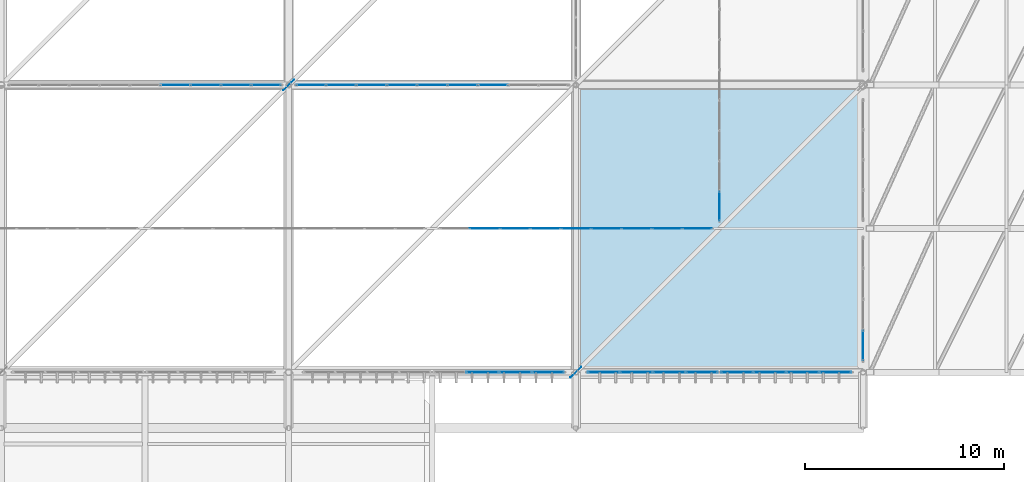
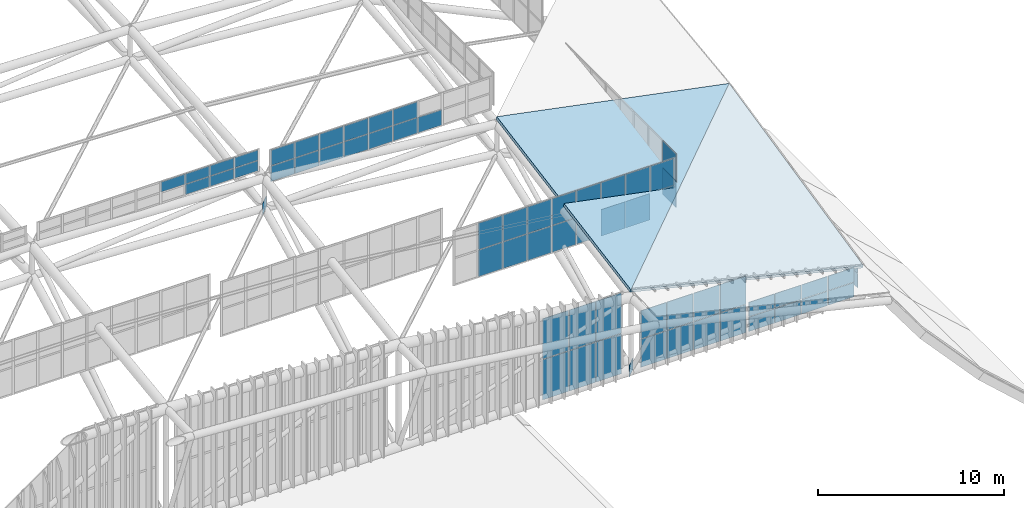
# One storey, part 366 of 397: 64 plates, 2 slabs, 8 elements without a shape of their own.
"""IFC4 building model written with IfcOpenShell, lengths in metres."""

from ifc_helpers import new_model, si_unit, direction, frame, origin, origin_2d, place, context, subcontext, project, spatial, polyline, rectangle, outline, extrude, material, layer, layer_set, type_object, element, aggregate, save


model = new_model("IFC4")

# Units and contexts
model_context = context("Model", 3, precision=1e-05, world=origin(), true_north=direction((0.0, 1.0)))
body_context = subcontext(model_context, "Body", "Model", "MODEL_VIEW")
ifc_project = project(units=[si_unit("LENGTHUNIT", "METRE"), si_unit("AREAUNIT", "SQUARE_METRE"), si_unit("VOLUMEUNIT", "CUBIC_METRE"), si_unit("PLANEANGLEUNIT", "RADIAN"), si_unit("MASSUNIT", "GRAM", prefix="KILO")], contexts=[model_context])

# Site, building, storey
site_placement = place(None, origin())
site = spatial("IfcSite", under=ifc_project, at=site_placement, CompositionType="ELEMENT")
building_placement = place(site_placement, origin())
building = spatial("IfcBuilding", under=site, at=building_placement, Name="Qandorah Velis Arena", CompositionType="ELEMENT")
storey_placement = place(building_placement, frame((0.0, 0.0, 27.5)))
storey = spatial("IfcBuildingStorey", under=building, at=storey_placement, Name="RF", CompositionType="ELEMENT", Elevation=27.5)

# Curtain wall, plates
ifc_material_1 = material(Name="Solar-control low-E double glazing", Category="glass")
curtain_wall_type_1 = type_object("IfcCurtainWallType", Name="ARC-CW-SYS13", PredefinedType="USERDEFINED", material=ifc_material_1)
curtain_wall_1_placement = place(storey_placement, origin())
curtain_wall_1 = element("IfcCurtainWall", 1, at=curtain_wall_1_placement, inside=storey, type_object=curtain_wall_type_1, Name="Unitised curtain wall MON-2-1", ObjectType="UNITISED CURTAIN WALL", PredefinedType="USERDEFINED")
ifc_layer_1 = layer(ifc_material_1, 0.030029296875)
ifc_layer_set_1 = layer_set([ifc_layer_1], Name="Solar-control low-E double glazing")
plate_type_1 = type_object("IfcPlateType", Name="ARC-CWP-GLZ30", PredefinedType="CURTAIN_PANEL", material=ifc_layer_set_1)
plate_1_placement = place(storey_placement, frame((108.0, 22.724853515625, 3.58642578125), z_axis=(0.0, 0.0, 1.0), x_axis=(0.0, 1.0, 0.0)))
plate_1 = element("IfcPlate", 2, at=plate_1_placement, type_object=plate_type_1, Name="CW13 panel 1.1", PredefinedType="CURTAIN_PANEL", context=body_context, shape_type="SweptSolid", body=[
    extrude(rectangle(XDim=1.459716796875, YDim=0.030029296875, at=origin_2d()), origin(), (0.0, 0.0, 1.0), 1.737548828125),
])
plate_2_placement = place(storey_placement, frame((108.0, 22.724853515625, 5.35888671875), z_axis=(0.0, 0.0, 1.0), x_axis=(0.0, 1.0, 0.0)))
plate_2 = element("IfcPlate", 3, at=plate_2_placement, type_object=plate_type_1, Name="CW13 panel 1.2", PredefinedType="CURTAIN_PANEL", context=body_context, shape_type="SweptSolid", body=[
    extrude(rectangle(XDim=1.459716796875, YDim=0.030029296875, at=origin_2d()), origin(), (0.0, 0.0, 1.0), 1.737548828125),
])
aggregate(curtain_wall_1, [plate_1, plate_2])

curtain_wall_type_2 = type_object("IfcCurtainWallType", Name="ARC-CW-SYS24", PredefinedType="USERDEFINED", material=ifc_material_1)
curtain_wall_2_placement = place(storey_placement, origin())
curtain_wall_2 = element("IfcCurtainWall", 4, at=curtain_wall_2_placement, inside=storey, type_object=curtain_wall_type_2, Name="Unitised curtain wall MON-3-6", ObjectType="UNITISED CURTAIN WALL", PredefinedType="USERDEFINED")
plate_3_placement = place(storey_placement, frame((96.2333984375, 21.60009765625, 3.685546875), z_axis=(0.0, 0.0, 1.0), x_axis=(1.0, 0.0, 0.0)))
plate_3 = element("IfcPlate", 5, at=plate_3_placement, type_object=plate_type_1, Name="CW24 panel 2.1", PredefinedType="CURTAIN_PANEL", context=body_context, shape_type="SweptSolid", body=[
    extrude(rectangle(XDim=1.4873046875, YDim=0.030029296875, at=origin_2d()), origin(), (0.0, 0.0, 1.0), 1.737548828125),
])
plate_4_placement = place(storey_placement, frame((96.2333984375, 21.60009765625, 5.45849609375), z_axis=(0.0, 0.0, 1.0), x_axis=(1.0, 0.0, 0.0)))
plate_4 = element("IfcPlate", 6, at=plate_4_placement, type_object=plate_type_1, Name="CW24 panel 2.2", PredefinedType="CURTAIN_PANEL", context=body_context, shape_type="SweptSolid", body=[
    extrude(rectangle(XDim=1.4873046875, YDim=0.030029296875, at=origin_2d()), origin(), (0.0, 0.0, 1.0), 1.737548828125),
])
plate_5_placement = place(storey_placement, frame((97.755615234375, 21.60009765625, 3.685546875), z_axis=(0.0, 0.0, 1.0), x_axis=(1.0, 0.0, 0.0)))
plate_5 = element("IfcPlate", 7, at=plate_5_placement, type_object=plate_type_1, Name="CW24 panel 3.1", PredefinedType="CURTAIN_PANEL", context=body_context, shape_type="SweptSolid", body=[
    extrude(rectangle(XDim=1.4873046875, YDim=0.030029296875, at=origin_2d()), origin(), (0.0, 0.0, 1.0), 1.737548828125),
])
plate_6_placement = place(storey_placement, frame((97.755615234375, 21.60009765625, 5.45849609375), z_axis=(0.0, 0.0, 1.0), x_axis=(1.0, 0.0, 0.0)))
plate_6 = element("IfcPlate", 8, at=plate_6_placement, type_object=plate_type_1, Name="CW24 panel 3.2", PredefinedType="CURTAIN_PANEL", context=body_context, shape_type="SweptSolid", body=[
    extrude(rectangle(XDim=1.4873046875, YDim=0.030029296875, at=origin_2d()), origin(), (0.0, 0.0, 1.0), 1.737548828125),
])
plate_7_placement = place(storey_placement, frame((99.27783203125, 21.60009765625, 3.685546875), z_axis=(0.0, 0.0, 1.0), x_axis=(1.0, 0.0, 0.0)))
plate_7 = element("IfcPlate", 9, at=plate_7_placement, type_object=plate_type_1, Name="CW24 panel 4.1", PredefinedType="CURTAIN_PANEL", context=body_context, shape_type="SweptSolid", body=[
    extrude(rectangle(XDim=1.4873046875, YDim=0.030029296875, at=origin_2d()), origin(), (0.0, 0.0, 1.0), 1.737548828125),
])
plate_8_placement = place(storey_placement, frame((99.27783203125, 21.60009765625, 5.45849609375), z_axis=(0.0, 0.0, 1.0), x_axis=(1.0, 0.0, 0.0)))
plate_8 = element("IfcPlate", 10, at=plate_8_placement, type_object=plate_type_1, Name="CW24 panel 4.2", PredefinedType="CURTAIN_PANEL", context=body_context, shape_type="SweptSolid", body=[
    extrude(rectangle(XDim=1.4873046875, YDim=0.030029296875, at=origin_2d()), origin(), (0.0, 0.0, 1.0), 1.737548828125),
])
plate_9_placement = place(storey_placement, frame((100.800048828125, 21.60009765625, 3.685546875), z_axis=(0.0, 0.0, 1.0), x_axis=(1.0, 0.0, 0.0)))
plate_9 = element("IfcPlate", 11, at=plate_9_placement, type_object=plate_type_1, Name="CW24 panel 5.1", PredefinedType="CURTAIN_PANEL", context=body_context, shape_type="SweptSolid", body=[
    extrude(rectangle(XDim=1.4873046875, YDim=0.030029296875, at=origin_2d()), origin(), (0.0, 0.0, 1.0), 1.737548828125),
])
plate_10_placement = place(storey_placement, frame((100.800048828125, 21.60009765625, 5.45849609375), z_axis=(0.0, 0.0, 1.0), x_axis=(1.0, 0.0, 0.0)))
plate_10 = element("IfcPlate", 12, at=plate_10_placement, type_object=plate_type_1, Name="CW24 panel 5.2", PredefinedType="CURTAIN_PANEL", context=body_context, shape_type="SweptSolid", body=[
    extrude(rectangle(XDim=1.4873046875, YDim=0.030029296875, at=origin_2d()), origin(), (0.0, 0.0, 1.0), 1.737548828125),
])
plate_11_placement = place(storey_placement, frame((102.322265625, 21.60009765625, 3.685546875), z_axis=(0.0, 0.0, 1.0), x_axis=(1.0, 0.0, 0.0)))
plate_11 = element("IfcPlate", 13, at=plate_11_placement, type_object=plate_type_1, Name="CW24 panel 6.1", PredefinedType="CURTAIN_PANEL", context=body_context, shape_type="SweptSolid", body=[
    extrude(rectangle(XDim=1.4873046875, YDim=0.030029296875, at=origin_2d()), origin(), (0.0, 0.0, 1.0), 1.737548828125),
])
plate_12_placement = place(storey_placement, frame((102.322265625, 21.60009765625, 5.45849609375), z_axis=(0.0, 0.0, 1.0), x_axis=(1.0, 0.0, 0.0)))
plate_12 = element("IfcPlate", 14, at=plate_12_placement, type_object=plate_type_1, Name="CW24 panel 6.2", PredefinedType="CURTAIN_PANEL", context=body_context, shape_type="SweptSolid", body=[
    extrude(rectangle(XDim=1.4873046875, YDim=0.030029296875, at=origin_2d()), origin(), (0.0, 0.0, 1.0), 1.737548828125),
])
plate_13_placement = place(storey_placement, frame((103.844482421875, 21.60009765625, 3.685546875), z_axis=(0.0, 0.0, 1.0), x_axis=(1.0, 0.0, 0.0)))
plate_13 = element("IfcPlate", 15, at=plate_13_placement, type_object=plate_type_1, Name="CW24 panel 7.1", PredefinedType="CURTAIN_PANEL", context=body_context, shape_type="SweptSolid", body=[
    extrude(rectangle(XDim=1.4873046875, YDim=0.030029296875, at=origin_2d()), origin(), (0.0, 0.0, 1.0), 1.737548828125),
])
plate_14_placement = place(storey_placement, frame((103.844482421875, 21.60009765625, 5.45849609375), z_axis=(0.0, 0.0, 1.0), x_axis=(1.0, 0.0, 0.0)))
plate_14 = element("IfcPlate", 16, at=plate_14_placement, type_object=plate_type_1, Name="CW24 panel 7.2", PredefinedType="CURTAIN_PANEL", context=body_context, shape_type="SweptSolid", body=[
    extrude(rectangle(XDim=1.4873046875, YDim=0.030029296875, at=origin_2d()), origin(), (0.0, 0.0, 1.0), 1.737548828125),
])
plate_15_placement = place(storey_placement, frame((105.36669921875, 21.60009765625, 3.685546875), z_axis=(0.0, 0.0, 1.0), x_axis=(1.0, 0.0, 0.0)))
plate_15 = element("IfcPlate", 17, at=plate_15_placement, type_object=plate_type_1, Name="CW24 panel 8.1", PredefinedType="CURTAIN_PANEL", context=body_context, shape_type="SweptSolid", body=[
    extrude(rectangle(XDim=1.4873046875, YDim=0.030029296875, at=origin_2d()), origin(), (0.0, 0.0, 1.0), 1.737548828125),
])
plate_16_placement = place(storey_placement, frame((105.36669921875, 21.60009765625, 5.45849609375), z_axis=(0.0, 0.0, 1.0), x_axis=(1.0, 0.0, 0.0)))
plate_16 = element("IfcPlate", 18, at=plate_16_placement, type_object=plate_type_1, Name="CW24 panel 8.2", PredefinedType="CURTAIN_PANEL", context=body_context, shape_type="SweptSolid", body=[
    extrude(rectangle(XDim=1.4873046875, YDim=0.030029296875, at=origin_2d()), origin(), (0.0, 0.0, 1.0), 1.737548828125),
])
plate_17_placement = place(storey_placement, frame((106.875244140625, 21.60009765625, 3.685546875), z_axis=(0.0, 0.0, 1.0), x_axis=(1.0, 0.0, 0.0)))
plate_17 = element("IfcPlate", 19, at=plate_17_placement, type_object=plate_type_1, Name="CW24 panel 9.1", PredefinedType="CURTAIN_PANEL", context=body_context, shape_type="SweptSolid", body=[
    extrude(rectangle(XDim=1.459716796875, YDim=0.030029296875, at=origin_2d()), origin(), (0.0, 0.0, 1.0), 1.737548828125),
])
plate_18_placement = place(storey_placement, frame((106.875244140625, 21.60009765625, 5.45849609375), z_axis=(0.0, 0.0, 1.0), x_axis=(1.0, 0.0, 0.0)))
plate_18 = element("IfcPlate", 20, at=plate_18_placement, type_object=plate_type_1, Name="CW24 panel 9.2", PredefinedType="CURTAIN_PANEL", context=body_context, shape_type="SweptSolid", body=[
    extrude(rectangle(XDim=1.459716796875, YDim=0.030029296875, at=origin_2d()), origin(), (0.0, 0.0, 1.0), 1.737548828125),
])
aggregate(curtain_wall_2, [plate_3, plate_4, plate_5, plate_6, plate_7, plate_8, plate_9, plate_10, plate_11, plate_12, plate_13, plate_14, plate_15, plate_16, plate_17, plate_18])

curtain_wall_type_3 = type_object("IfcCurtainWallType", Name="ARC-CW-SYS19", PredefinedType="USERDEFINED", material=ifc_material_1)
curtain_wall_3_placement = place(storey_placement, origin())
curtain_wall_3 = element("IfcCurtainWall", 21, at=curtain_wall_3_placement, inside=storey, type_object=curtain_wall_type_3, Name="Unitised curtain wall OCULUS-3-4", ObjectType="UNITISED CURTAIN WALL", PredefinedType="USERDEFINED")
plate_19_placement = place(storey_placement, frame((80.72216796875, 28.800048828125, 10.2919921875), z_axis=(0.0, 0.0, 1.0), x_axis=(1.0, 0.0, 0.0)))
plate_19 = element("IfcPlate", 22, at=plate_19_placement, type_object=plate_type_1, Name="CW19 panel 6.2", PredefinedType="CURTAIN_PANEL", context=body_context, shape_type="SweptSolid", body=[
    extrude(rectangle(XDim=1.4873046875, YDim=0.030029296875, at=origin_2d()), origin(), (0.0, 0.0, 1.0), 0.662841796875),
])
plate_20_placement = place(storey_placement, frame((82.244384765625, 28.800048828125, 9.593994140625), z_axis=(0.0, 0.0, 1.0), x_axis=(1.0, 0.0, 0.0)))
plate_20 = element("IfcPlate", 23, at=plate_20_placement, type_object=plate_type_1, Name="CW19 panel 7.1", PredefinedType="CURTAIN_PANEL", context=body_context, shape_type="SweptSolid", body=[
    extrude(rectangle(XDim=1.4873046875, YDim=0.030029296875, at=origin_2d()), origin(), (0.0, 0.0, 1.0), 0.6630859375),
])
plate_21_placement = place(storey_placement, frame((82.244384765625, 28.800048828125, 10.2919921875), z_axis=(0.0, 0.0, 1.0), x_axis=(1.0, 0.0, 0.0)))
plate_21 = element("IfcPlate", 24, at=plate_21_placement, type_object=plate_type_1, Name="CW19 panel 7.2", PredefinedType="CURTAIN_PANEL", context=body_context, shape_type="SweptSolid", body=[
    extrude(rectangle(XDim=1.4873046875, YDim=0.030029296875, at=origin_2d()), origin(), (0.0, 0.0, 1.0), 0.662841796875),
])
plate_22_placement = place(storey_placement, frame((83.7666015625, 28.800048828125, 9.593994140625), z_axis=(0.0, 0.0, 1.0), x_axis=(1.0, 0.0, 0.0)))
plate_22 = element("IfcPlate", 25, at=plate_22_placement, type_object=plate_type_1, Name="CW19 panel 8.1", PredefinedType="CURTAIN_PANEL", context=body_context, shape_type="SweptSolid", body=[
    extrude(rectangle(XDim=1.4873046875, YDim=0.030029296875, at=origin_2d()), origin(), (0.0, 0.0, 1.0), 0.6630859375),
])
plate_23_placement = place(storey_placement, frame((83.7666015625, 28.800048828125, 10.2919921875), z_axis=(0.0, 0.0, 1.0), x_axis=(1.0, 0.0, 0.0)))
plate_23 = element("IfcPlate", 26, at=plate_23_placement, type_object=plate_type_1, Name="CW19 panel 8.2", PredefinedType="CURTAIN_PANEL", context=body_context, shape_type="SweptSolid", body=[
    extrude(rectangle(XDim=1.4873046875, YDim=0.030029296875, at=origin_2d()), origin(), (0.0, 0.0, 1.0), 0.662841796875),
])
plate_24_placement = place(storey_placement, frame((85.275146484375, 28.800048828125, 9.593994140625), z_axis=(0.0, 0.0, 1.0), x_axis=(1.0, 0.0, 0.0)))
plate_24 = element("IfcPlate", 27, at=plate_24_placement, type_object=plate_type_1, Name="CW19 panel 9.1", PredefinedType="CURTAIN_PANEL", context=body_context, shape_type="SweptSolid", body=[
    extrude(rectangle(XDim=1.459716796875, YDim=0.030029296875, at=origin_2d()), origin(), (0.0, 0.0, 1.0), 0.6630859375),
])
plate_25_placement = place(storey_placement, frame((85.275146484375, 28.800048828125, 10.2919921875), z_axis=(0.0, 0.0, 1.0), x_axis=(1.0, 0.0, 0.0)))
plate_25 = element("IfcPlate", 28, at=plate_25_placement, type_object=plate_type_1, Name="CW19 panel 9.2", PredefinedType="CURTAIN_PANEL", context=body_context, shape_type="SweptSolid", body=[
    extrude(rectangle(XDim=1.459716796875, YDim=0.030029296875, at=origin_2d()), origin(), (0.0, 0.0, 1.0), 0.662841796875),
])
aggregate(curtain_wall_3, [plate_19, plate_20, plate_21, plate_22, plate_23, plate_24, plate_25])

curtain_wall_type_4 = type_object("IfcCurtainWallType", Name="ARC-CW-SYS20", PredefinedType="USERDEFINED", material=ifc_material_1)
curtain_wall_4_placement = place(storey_placement, origin())
curtain_wall_4 = element("IfcCurtainWall", 29, at=curtain_wall_4_placement, inside=storey, type_object=curtain_wall_type_4, Name="Unitised curtain wall OCULUS-3-5", ObjectType="UNITISED CURTAIN WALL", PredefinedType="USERDEFINED")
plate_26_placement = place(storey_placement, frame((87.52490234375, 28.800048828125, 8.59521484375), z_axis=(0.0, 0.0, 1.0), x_axis=(1.0, 0.0, 0.0)))
plate_26 = element("IfcPlate", 30, at=plate_26_placement, type_object=plate_type_1, Name="CW20 panel 1.1", PredefinedType="CURTAIN_PANEL", context=body_context, shape_type="SweptSolid", body=[
    extrude(rectangle(XDim=1.459716796875, YDim=0.030029296875, at=origin_2d()), origin(), (0.0, 0.0, 1.0), 1.012451171875),
])
plate_27_placement = place(storey_placement, frame((87.52490234375, 28.800048828125, 9.642578125), z_axis=(0.0, 0.0, 1.0), x_axis=(1.0, 0.0, 0.0)))
plate_27 = element("IfcPlate", 31, at=plate_27_placement, type_object=plate_type_1, Name="CW20 panel 1.2", PredefinedType="CURTAIN_PANEL", context=body_context, shape_type="SweptSolid", body=[
    extrude(rectangle(XDim=1.459716796875, YDim=0.030029296875, at=origin_2d()), origin(), (0.0, 0.0, 1.0), 1.012451171875),
])
plate_28_placement = place(storey_placement, frame((89.033447265625, 28.800048828125, 8.59521484375), z_axis=(0.0, 0.0, 1.0), x_axis=(1.0, 0.0, 0.0)))
plate_28 = element("IfcPlate", 32, at=plate_28_placement, type_object=plate_type_1, Name="CW20 panel 2.1", PredefinedType="CURTAIN_PANEL", context=body_context, shape_type="SweptSolid", body=[
    extrude(rectangle(XDim=1.4873046875, YDim=0.030029296875, at=origin_2d()), origin(), (0.0, 0.0, 1.0), 1.012451171875),
])
plate_29_placement = place(storey_placement, frame((89.033447265625, 28.800048828125, 9.642578125), z_axis=(0.0, 0.0, 1.0), x_axis=(1.0, 0.0, 0.0)))
plate_29 = element("IfcPlate", 33, at=plate_29_placement, type_object=plate_type_1, Name="CW20 panel 2.2", PredefinedType="CURTAIN_PANEL", context=body_context, shape_type="SweptSolid", body=[
    extrude(rectangle(XDim=1.4873046875, YDim=0.030029296875, at=origin_2d()), origin(), (0.0, 0.0, 1.0), 1.012451171875),
])
plate_30_placement = place(storey_placement, frame((90.5556640625, 28.800048828125, 8.59521484375), z_axis=(0.0, 0.0, 1.0), x_axis=(1.0, 0.0, 0.0)))
plate_30 = element("IfcPlate", 34, at=plate_30_placement, type_object=plate_type_1, Name="CW20 panel 3.1", PredefinedType="CURTAIN_PANEL", context=body_context, shape_type="SweptSolid", body=[
    extrude(rectangle(XDim=1.4873046875, YDim=0.030029296875, at=origin_2d()), origin(), (0.0, 0.0, 1.0), 1.012451171875),
])
plate_31_placement = place(storey_placement, frame((90.5556640625, 28.800048828125, 9.642578125), z_axis=(0.0, 0.0, 1.0), x_axis=(1.0, 0.0, 0.0)))
plate_31 = element("IfcPlate", 35, at=plate_31_placement, type_object=plate_type_1, Name="CW20 panel 3.2", PredefinedType="CURTAIN_PANEL", context=body_context, shape_type="SweptSolid", body=[
    extrude(rectangle(XDim=1.4873046875, YDim=0.030029296875, at=origin_2d()), origin(), (0.0, 0.0, 1.0), 1.012451171875),
])
plate_32_placement = place(storey_placement, frame((92.077880859375, 28.800048828125, 8.59521484375), z_axis=(0.0, 0.0, 1.0), x_axis=(1.0, 0.0, 0.0)))
plate_32 = element("IfcPlate", 36, at=plate_32_placement, type_object=plate_type_1, Name="CW20 panel 4.1", PredefinedType="CURTAIN_PANEL", context=body_context, shape_type="SweptSolid", body=[
    extrude(rectangle(XDim=1.4873046875, YDim=0.030029296875, at=origin_2d()), origin(), (0.0, 0.0, 1.0), 1.012451171875),
])
plate_33_placement = place(storey_placement, frame((92.077880859375, 28.800048828125, 9.642578125), z_axis=(0.0, 0.0, 1.0), x_axis=(1.0, 0.0, 0.0)))
plate_33 = element("IfcPlate", 37, at=plate_33_placement, type_object=plate_type_1, Name="CW20 panel 4.2", PredefinedType="CURTAIN_PANEL", context=body_context, shape_type="SweptSolid", body=[
    extrude(rectangle(XDim=1.4873046875, YDim=0.030029296875, at=origin_2d()), origin(), (0.0, 0.0, 1.0), 1.012451171875),
])
plate_34_placement = place(storey_placement, frame((93.60009765625, 28.800048828125, 8.59521484375), z_axis=(0.0, 0.0, 1.0), x_axis=(1.0, 0.0, 0.0)))
plate_34 = element("IfcPlate", 38, at=plate_34_placement, type_object=plate_type_1, Name="CW20 panel 5.1", PredefinedType="CURTAIN_PANEL", context=body_context, shape_type="SweptSolid", body=[
    extrude(rectangle(XDim=1.4873046875, YDim=0.030029296875, at=origin_2d()), origin(), (0.0, 0.0, 1.0), 1.012451171875),
])
plate_35_placement = place(storey_placement, frame((93.60009765625, 28.800048828125, 9.642578125), z_axis=(0.0, 0.0, 1.0), x_axis=(1.0, 0.0, 0.0)))
plate_35 = element("IfcPlate", 39, at=plate_35_placement, type_object=plate_type_1, Name="CW20 panel 5.2", PredefinedType="CURTAIN_PANEL", context=body_context, shape_type="SweptSolid", body=[
    extrude(rectangle(XDim=1.4873046875, YDim=0.030029296875, at=origin_2d()), origin(), (0.0, 0.0, 1.0), 1.012451171875),
])
plate_36_placement = place(storey_placement, frame((95.122314453125, 28.800048828125, 8.59521484375), z_axis=(0.0, 0.0, 1.0), x_axis=(1.0, 0.0, 0.0)))
plate_36 = element("IfcPlate", 40, at=plate_36_placement, type_object=plate_type_1, Name="CW20 panel 6.1", PredefinedType="CURTAIN_PANEL", context=body_context, shape_type="SweptSolid", body=[
    extrude(rectangle(XDim=1.4873046875, YDim=0.030029296875, at=origin_2d()), origin(), (0.0, 0.0, 1.0), 1.012451171875),
])
plate_37_placement = place(storey_placement, frame((95.122314453125, 28.800048828125, 9.642578125), z_axis=(0.0, 0.0, 1.0), x_axis=(1.0, 0.0, 0.0)))
plate_37 = element("IfcPlate", 41, at=plate_37_placement, type_object=plate_type_1, Name="CW20 panel 6.2", PredefinedType="CURTAIN_PANEL", context=body_context, shape_type="SweptSolid", body=[
    extrude(rectangle(XDim=1.4873046875, YDim=0.030029296875, at=origin_2d()), origin(), (0.0, 0.0, 1.0), 1.012451171875),
])
plate_38_placement = place(storey_placement, frame((96.64453125, 28.800048828125, 8.59521484375), z_axis=(0.0, 0.0, 1.0), x_axis=(1.0, 0.0, 0.0)))
plate_38 = element("IfcPlate", 42, at=plate_38_placement, type_object=plate_type_1, Name="CW20 panel 7.1", PredefinedType="CURTAIN_PANEL", context=body_context, shape_type="SweptSolid", body=[
    extrude(rectangle(XDim=1.4873046875, YDim=0.030029296875, at=origin_2d()), origin(), (0.0, 0.0, 1.0), 1.012451171875),
])
aggregate(curtain_wall_4, [plate_26, plate_27, plate_28, plate_29, plate_30, plate_31, plate_32, plate_33, plate_34, plate_35, plate_36, plate_37, plate_38])

curtain_wall_type_5 = type_object("IfcCurtainWallType", Name="ARC-CW-SYS09", PredefinedType="USERDEFINED", material=ifc_material_1)
curtain_wall_5_placement = place(storey_placement, origin())
curtain_wall_5 = element("IfcCurtainWall", 43, at=curtain_wall_5_placement, inside=storey, type_object=curtain_wall_type_5, Name="Unitised curtain wall CROWN-2-01S1", ObjectType="UNITISED CURTAIN WALL", PredefinedType="USERDEFINED")
ifc_layer_2 = layer(ifc_material_1, 0.035888671875)
ifc_layer_set_2 = layer_set([ifc_layer_2], Name="Solar-control low-E double glazing")
plate_type_2 = type_object("IfcPlateType", Name="ARC-CWP-GLZ36", PredefinedType="CURTAIN_PANEL", material=ifc_layer_set_2)
plate_39_placement = place(storey_placement, frame((115.199951171875, 15.7431640625, 0.0498046875), z_axis=(0.0, 0.0, 1.0), x_axis=(0.0, 1.0, 0.0)))
plate_39 = element("IfcPlate", 44, at=plate_39_placement, type_object=plate_type_2, Name="CW09 panel 1.1", PredefinedType="CURTAIN_PANEL", context=body_context, shape_type="SweptSolid", body=[
    extrude(rectangle(XDim=1.486328125, YDim=0.035888671875, at=origin_2d()), origin(), (0.0, 0.0, 1.0), 0.931396484375),
])
plate_40_placement = place(storey_placement, frame((115.199951171875, 15.7431640625, 1.021484375), z_axis=(0.0, 0.0, 1.0), x_axis=(0.0, 1.0, 0.0)))
plate_40 = element("IfcPlate", 45, at=plate_40_placement, type_object=plate_type_2, Name="CW09 panel 1.2", PredefinedType="CURTAIN_PANEL", context=body_context, shape_type="SweptSolid", body=[
    extrude(rectangle(XDim=1.486328125, YDim=0.035888671875, at=origin_2d()), origin(), (0.0, 0.0, 1.0), 0.931396484375),
])
aggregate(curtain_wall_5, [plate_39, plate_40])

curtain_wall_type_6 = type_object("IfcCurtainWallType", Name="ARC-CW-SYS23", PredefinedType="USERDEFINED", material=ifc_material_1)
curtain_wall_6_placement = place(storey_placement, origin())
curtain_wall_6 = element("IfcCurtainWall", 46, at=curtain_wall_6_placement, inside=storey, type_object=curtain_wall_type_6, Name="Unitised curtain wall CROWN-3-06S2", ObjectType="UNITISED CURTAIN WALL", PredefinedType="USERDEFINED")
plate_41_placement = place(storey_placement, frame((96.11865234375, 14.39990234375, 0.0498046875), z_axis=(0.0, 0.0, 1.0), x_axis=(1.0, 0.0, 0.0)))
plate_41 = element("IfcPlate", 47, at=plate_41_placement, type_object=plate_type_2, Name="CW23 panel 2.1", PredefinedType="CURTAIN_PANEL", context=body_context, shape_type="SweptSolid", body=[
    extrude(rectangle(XDim=1.612548828125, YDim=0.035888671875, at=origin_2d()), origin(), (0.0, 0.0, 1.0), 2.630615234375),
])
plate_42_placement = place(storey_placement, frame((96.11865234375, 14.39990234375, 2.720458984375), z_axis=(0.0, 0.0, 1.0), x_axis=(1.0, 0.0, 0.0)))
plate_42 = element("IfcPlate", 48, at=plate_42_placement, type_object=plate_type_2, Name="CW23 panel 2.2", PredefinedType="CURTAIN_PANEL", context=body_context, shape_type="SweptSolid", body=[
    extrude(rectangle(XDim=1.612548828125, YDim=0.035888671875, at=origin_2d()), origin(), (0.0, 0.0, 1.0), 2.63037109375),
])
plate_43_placement = place(storey_placement, frame((97.771240234375, 14.39990234375, 0.0498046875), z_axis=(0.0, 0.0, 1.0), x_axis=(1.0, 0.0, 0.0)))
plate_43 = element("IfcPlate", 49, at=plate_43_placement, type_object=plate_type_2, Name="CW23 panel 3.1", PredefinedType="CURTAIN_PANEL", context=body_context, shape_type="SweptSolid", body=[
    extrude(rectangle(XDim=1.612548828125, YDim=0.035888671875, at=origin_2d()), origin(), (0.0, 0.0, 1.0), 2.630615234375),
])
plate_44_placement = place(storey_placement, frame((97.771240234375, 14.39990234375, 2.720458984375), z_axis=(0.0, 0.0, 1.0), x_axis=(1.0, 0.0, 0.0)))
plate_44 = element("IfcPlate", 50, at=plate_44_placement, type_object=plate_type_2, Name="CW23 panel 3.2", PredefinedType="CURTAIN_PANEL", context=body_context, shape_type="SweptSolid", body=[
    extrude(rectangle(XDim=1.612548828125, YDim=0.035888671875, at=origin_2d()), origin(), (0.0, 0.0, 1.0), 2.63037109375),
])
plate_45_placement = place(storey_placement, frame((99.40869140625, 14.39990234375, 0.0498046875), z_axis=(0.0, 0.0, 1.0), x_axis=(1.0, 0.0, 0.0)))
plate_45 = element("IfcPlate", 51, at=plate_45_placement, type_object=plate_type_2, Name="CW23 panel 4.1", PredefinedType="CURTAIN_PANEL", context=body_context, shape_type="SweptSolid", body=[
    extrude(rectangle(XDim=1.58251953125, YDim=0.035888671875, at=origin_2d()), origin(), (0.0, 0.0, 1.0), 2.630615234375),
])
plate_46_placement = place(storey_placement, frame((99.40869140625, 14.39990234375, 2.720458984375), z_axis=(0.0, 0.0, 1.0), x_axis=(1.0, 0.0, 0.0)))
plate_46 = element("IfcPlate", 52, at=plate_46_placement, type_object=plate_type_2, Name="CW23 panel 4.2", PredefinedType="CURTAIN_PANEL", context=body_context, shape_type="SweptSolid", body=[
    extrude(rectangle(XDim=1.58251953125, YDim=0.035888671875, at=origin_2d()), origin(), (0.0, 0.0, 1.0), 2.63037109375),
])
aggregate(curtain_wall_6, [plate_41, plate_42, plate_43, plate_44, plate_45, plate_46])

curtain_wall_7_placement = place(storey_placement, origin())
curtain_wall_7 = element("IfcCurtainWall", 53, at=curtain_wall_7_placement, inside=storey, type_object=curtain_wall_type_6, Name="Unitised curtain wall CROWN-3-07S1", ObjectType="UNITISED CURTAIN WALL", PredefinedType="USERDEFINED")
plate_47_placement = place(storey_placement, frame((102.191162109375, 14.39990234375, 0.0498046875), z_axis=(0.0, 0.0, 1.0), x_axis=(1.0, 0.0, 0.0)))
plate_47 = element("IfcPlate", 54, at=plate_47_placement, type_object=plate_type_2, Name="CW23 panel 1.1", PredefinedType="CURTAIN_PANEL", context=body_context, shape_type="SweptSolid", body=[
    extrude(rectangle(XDim=1.58251953125, YDim=0.035888671875, at=origin_2d()), origin(), (0.0, 0.0, 1.0), 1.832275390625),
])
plate_48_placement = place(storey_placement, frame((102.191162109375, 14.39990234375, 1.92236328125), z_axis=(0.0, 0.0, 1.0), x_axis=(1.0, 0.0, 0.0)))
plate_48 = element("IfcPlate", 55, at=plate_48_placement, type_object=plate_type_2, Name="CW23 panel 1.2", PredefinedType="CURTAIN_PANEL", context=body_context, shape_type="SweptSolid", body=[
    extrude(rectangle(XDim=1.58251953125, YDim=0.035888671875, at=origin_2d()), origin(), (0.0, 0.0, 1.0), 1.832275390625),
])
plate_49_placement = place(storey_placement, frame((103.828857421875, 14.39990234375, 0.0498046875), z_axis=(0.0, 0.0, 1.0), x_axis=(1.0, 0.0, 0.0)))
plate_49 = element("IfcPlate", 56, at=plate_49_placement, type_object=plate_type_2, Name="CW23 panel 2.1", PredefinedType="CURTAIN_PANEL", context=body_context, shape_type="SweptSolid", body=[
    extrude(rectangle(XDim=1.612548828125, YDim=0.035888671875, at=origin_2d()), origin(), (0.0, 0.0, 1.0), 1.832275390625),
])
plate_50_placement = place(storey_placement, frame((103.828857421875, 14.39990234375, 1.92236328125), z_axis=(0.0, 0.0, 1.0), x_axis=(1.0, 0.0, 0.0)))
plate_50 = element("IfcPlate", 57, at=plate_50_placement, type_object=plate_type_2, Name="CW23 panel 2.2", PredefinedType="CURTAIN_PANEL", context=body_context, shape_type="SweptSolid", body=[
    extrude(rectangle(XDim=1.612548828125, YDim=0.035888671875, at=origin_2d()), origin(), (0.0, 0.0, 1.0), 1.832275390625),
])
plate_51_placement = place(storey_placement, frame((105.481201171875, 14.39990234375, 0.0498046875), z_axis=(0.0, 0.0, 1.0), x_axis=(1.0, 0.0, 0.0)))
plate_51 = element("IfcPlate", 58, at=plate_51_placement, type_object=plate_type_2, Name="CW23 panel 3.1", PredefinedType="CURTAIN_PANEL", context=body_context, shape_type="SweptSolid", body=[
    extrude(rectangle(XDim=1.612548828125, YDim=0.035888671875, at=origin_2d()), origin(), (0.0, 0.0, 1.0), 1.832275390625),
])
plate_52_placement = place(storey_placement, frame((105.481201171875, 14.39990234375, 1.92236328125), z_axis=(0.0, 0.0, 1.0), x_axis=(1.0, 0.0, 0.0)))
plate_52 = element("IfcPlate", 59, at=plate_52_placement, type_object=plate_type_2, Name="CW23 panel 3.2", PredefinedType="CURTAIN_PANEL", context=body_context, shape_type="SweptSolid", body=[
    extrude(rectangle(XDim=1.612548828125, YDim=0.035888671875, at=origin_2d()), origin(), (0.0, 0.0, 1.0), 1.832275390625),
])
plate_53_placement = place(storey_placement, frame((107.11865234375, 14.39990234375, 0.0498046875), z_axis=(0.0, 0.0, 1.0), x_axis=(1.0, 0.0, 0.0)))
plate_53 = element("IfcPlate", 60, at=plate_53_placement, type_object=plate_type_2, Name="CW23 panel 4.1", PredefinedType="CURTAIN_PANEL", context=body_context, shape_type="SweptSolid", body=[
    extrude(rectangle(XDim=1.58251953125, YDim=0.035888671875, at=origin_2d()), origin(), (0.0, 0.0, 1.0), 1.832275390625),
])
plate_54_placement = place(storey_placement, frame((107.11865234375, 14.39990234375, 1.92236328125), z_axis=(0.0, 0.0, 1.0), x_axis=(1.0, 0.0, 0.0)))
plate_54 = element("IfcPlate", 61, at=plate_54_placement, type_object=plate_type_2, Name="CW23 panel 4.2", PredefinedType="CURTAIN_PANEL", context=body_context, shape_type="SweptSolid", body=[
    extrude(rectangle(XDim=1.58251953125, YDim=0.035888671875, at=origin_2d()), origin(), (0.0, 0.0, 1.0), 1.832275390625),
])
aggregate(curtain_wall_7, [plate_47, plate_48, plate_49, plate_50, plate_51, plate_52, plate_53, plate_54])

curtain_wall_8_placement = place(storey_placement, origin())
curtain_wall_8 = element("IfcCurtainWall", 62, at=curtain_wall_8_placement, inside=storey, type_object=curtain_wall_type_2, Name="Unitised curtain wall CROWN-3-07S2", ObjectType="UNITISED CURTAIN WALL", PredefinedType="USERDEFINED")
plate_55_placement = place(storey_placement, frame((108.88134765625, 14.39990234375, 0.0498046875), z_axis=(0.0, 0.0, 1.0), x_axis=(1.0, 0.0, 0.0)))
plate_55 = element("IfcPlate", 63, at=plate_55_placement, type_object=plate_type_2, Name="CW24 panel 1.1", PredefinedType="CURTAIN_PANEL", context=body_context, shape_type="SweptSolid", body=[
    extrude(rectangle(XDim=1.58251953125, YDim=0.035888671875, at=origin_2d()), origin(), (0.0, 0.0, 1.0), 0.937744140625),
])
plate_56_placement = place(storey_placement, frame((108.88134765625, 14.39990234375, 1.02783203125), z_axis=(0.0, 0.0, 1.0), x_axis=(1.0, 0.0, 0.0)))
plate_56 = element("IfcPlate", 64, at=plate_56_placement, type_object=plate_type_2, Name="CW24 panel 1.2", PredefinedType="CURTAIN_PANEL", context=body_context, shape_type="SweptSolid", body=[
    extrude(rectangle(XDim=1.58251953125, YDim=0.035888671875, at=origin_2d()), origin(), (0.0, 0.0, 1.0), 0.937744140625),
])
plate_57_placement = place(storey_placement, frame((110.518798828125, 14.39990234375, 0.0498046875), z_axis=(0.0, 0.0, 1.0), x_axis=(1.0, 0.0, 0.0)))
plate_57 = element("IfcPlate", 65, at=plate_57_placement, type_object=plate_type_2, Name="CW24 panel 2.1", PredefinedType="CURTAIN_PANEL", context=body_context, shape_type="SweptSolid", body=[
    extrude(rectangle(XDim=1.612548828125, YDim=0.035888671875, at=origin_2d()), origin(), (0.0, 0.0, 1.0), 0.937744140625),
])
plate_58_placement = place(storey_placement, frame((110.518798828125, 14.39990234375, 1.02783203125), z_axis=(0.0, 0.0, 1.0), x_axis=(1.0, 0.0, 0.0)))
plate_58 = element("IfcPlate", 66, at=plate_58_placement, type_object=plate_type_2, Name="CW24 panel 2.2", PredefinedType="CURTAIN_PANEL", context=body_context, shape_type="SweptSolid", body=[
    extrude(rectangle(XDim=1.612548828125, YDim=0.035888671875, at=origin_2d()), origin(), (0.0, 0.0, 1.0), 0.937744140625),
])
plate_59_placement = place(storey_placement, frame((112.171142578125, 14.39990234375, 0.0498046875), z_axis=(0.0, 0.0, 1.0), x_axis=(1.0, 0.0, 0.0)))
plate_59 = element("IfcPlate", 67, at=plate_59_placement, type_object=plate_type_2, Name="CW24 panel 3.1", PredefinedType="CURTAIN_PANEL", context=body_context, shape_type="SweptSolid", body=[
    extrude(rectangle(XDim=1.612548828125, YDim=0.035888671875, at=origin_2d()), origin(), (0.0, 0.0, 1.0), 0.937744140625),
])
plate_60_placement = place(storey_placement, frame((112.171142578125, 14.39990234375, 1.02783203125), z_axis=(0.0, 0.0, 1.0), x_axis=(1.0, 0.0, 0.0)))
plate_60 = element("IfcPlate", 68, at=plate_60_placement, type_object=plate_type_2, Name="CW24 panel 3.2", PredefinedType="CURTAIN_PANEL", context=body_context, shape_type="SweptSolid", body=[
    extrude(rectangle(XDim=1.612548828125, YDim=0.035888671875, at=origin_2d()), origin(), (0.0, 0.0, 1.0), 0.937744140625),
])
plate_61_placement = place(storey_placement, frame((113.808837890625, 14.39990234375, 0.0498046875), z_axis=(0.0, 0.0, 1.0), x_axis=(1.0, 0.0, 0.0)))
plate_61 = element("IfcPlate", 69, at=plate_61_placement, type_object=plate_type_2, Name="CW24 panel 4.1", PredefinedType="CURTAIN_PANEL", context=body_context, shape_type="SweptSolid", body=[
    extrude(rectangle(XDim=1.58251953125, YDim=0.035888671875, at=origin_2d()), origin(), (0.0, 0.0, 1.0), 0.937744140625),
])
plate_62_placement = place(storey_placement, frame((113.808837890625, 14.39990234375, 1.02783203125), z_axis=(0.0, 0.0, 1.0), x_axis=(1.0, 0.0, 0.0)))
plate_62 = element("IfcPlate", 70, at=plate_62_placement, type_object=plate_type_2, Name="CW24 panel 4.2", PredefinedType="CURTAIN_PANEL", context=body_context, shape_type="SweptSolid", body=[
    extrude(rectangle(XDim=1.58251953125, YDim=0.035888671875, at=origin_2d()), origin(), (0.0, 0.0, 1.0), 0.937744140625),
])
aggregate(curtain_wall_8, [plate_55, plate_56, plate_57, plate_58, plate_59, plate_60, plate_61, plate_62])

# Plates
ifc_material_2 = material(Name="Steel S355", Category="steel")
ifc_layer_3 = layer(ifc_material_2, 0.02001953125)
ifc_layer_set_3 = layer_set([ifc_layer_3], Name="Steel S355")
plate_type_3 = type_object("IfcPlateType", Name="STR-PLT-GUS20", PredefinedType="SHEET", material=ifc_layer_set_3)
for number, where, z_axis, x_axis, name in (
    (71, (86.39990234375, 28.800048828125, 6.784423828125), (0.0, 0.0, 1.0), (0.707106781187, 0.707106781187, 0.0), "Space frame gusset plate 5.1"),
    (72, (100.800048828125, 14.39990234375, -0.125), (0.0, 0.0, 1.0), (0.707106781187, 0.707106781187, 0.0), "Space frame gusset plate 6.0"),
):
    element("IfcPlate", number, at=place(storey_placement, frame(where, z_axis=z_axis, x_axis=x_axis)), inside=storey, type_object=plate_type_3, Name=name, PredefinedType="SHEET", context=body_context, shape_type="SweptSolid", body=[
        extrude(rectangle(XDim=0.75, YDim=0.02001953125, at=origin_2d()), origin(), (0.0, 0.0, 1.0), 0.75),
    ])

# Slabs
ifc_material_3 = material(Name="Concrete C40/50", Category="concrete")
ifc_layer_4 = layer(ifc_material_3, 0.179931640625)
ifc_layer_set_4 = layer_set([ifc_layer_4], Name="Concrete C40/50")
slab_type = type_object("IfcSlabType", Name="STR-SLB-RF180", PredefinedType="ROOF", material=ifc_layer_set_4)
slab_1_placement = place(storey_placement, frame((100.800048828125, 14.39990234375, 5.326904296875), z_axis=(0.227827196544, -0.211742445115, 0.950399866084), x_axis=(0.972449674239, 0.0, -0.233112914856)))
element("IfcSlab", 73, at=slab_1_placement, inside=storey, type_object=slab_type, Name="Arena space-frame roof deck panel 6.0A", PredefinedType="ROOF", context=body_context, shape_type="SweptSolid", body=[
    extrude(outline(polyline([(0.0, 0.0), (14.807863815700118, 0.0), (14.059978851313296, 14.734237932320498), (0.0, 0.0)])), origin(), (0.0, 0.0, -1.0), 0.179931640625),
])
slab_2_placement = place(storey_placement, frame((100.800048828125, 14.39990234375, 5.326904296875), z_axis=(0.19160982604, -0.17526688985, 0.965695185805), x_axis=(0.707050182418, 0.707062169977, -0.011963583501)))
element("IfcSlab", 74, at=slab_2_placement, inside=storey, type_object=slab_type, Name="Arena space-frame roof deck panel 6.0B", PredefinedType="ROOF", context=body_context, shape_type="SweptSolid", body=[
    extrude(outline(polyline([(0.0, 0.0), (20.366167355337364, 3.608224830031759e-16), (10.150531691983014, 10.543312577598547), (0.0, 0.0)])), origin(), (0.0, 0.0, -1.0), 0.179931640625),
])

save(model, "model.ifc")
